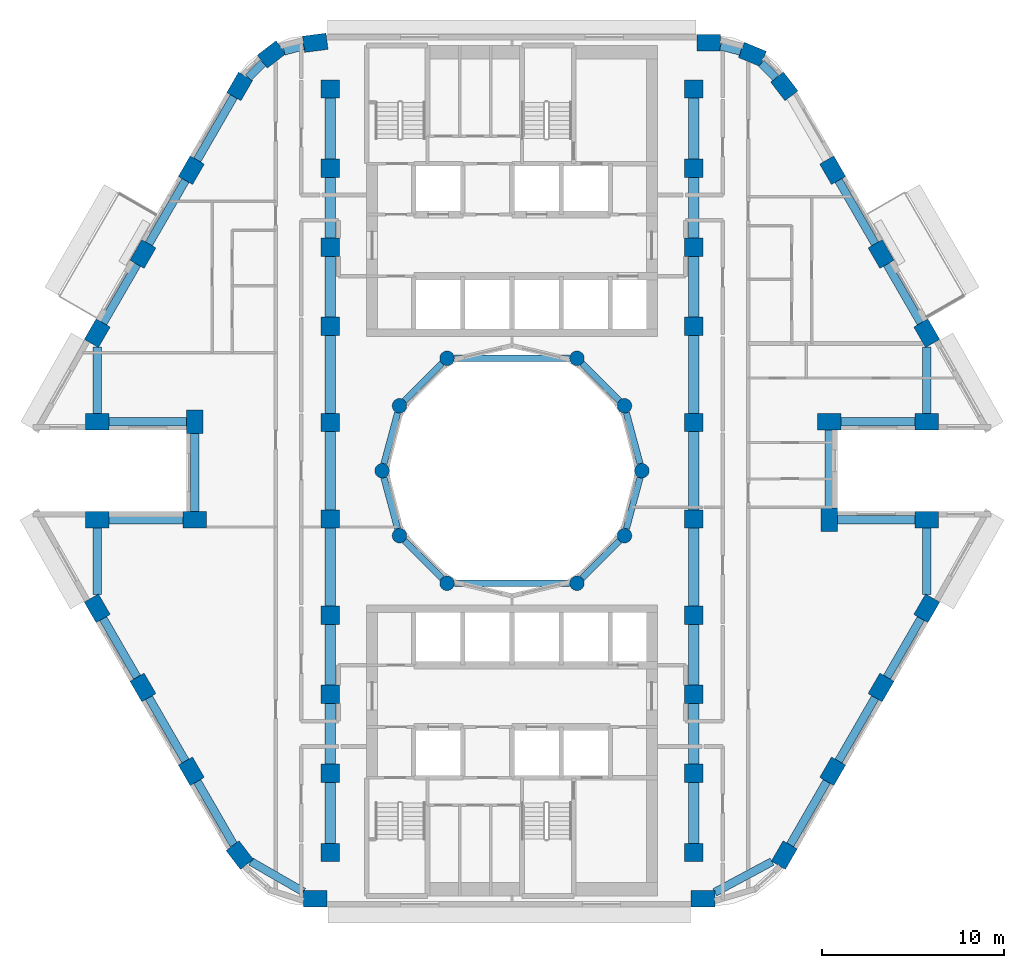
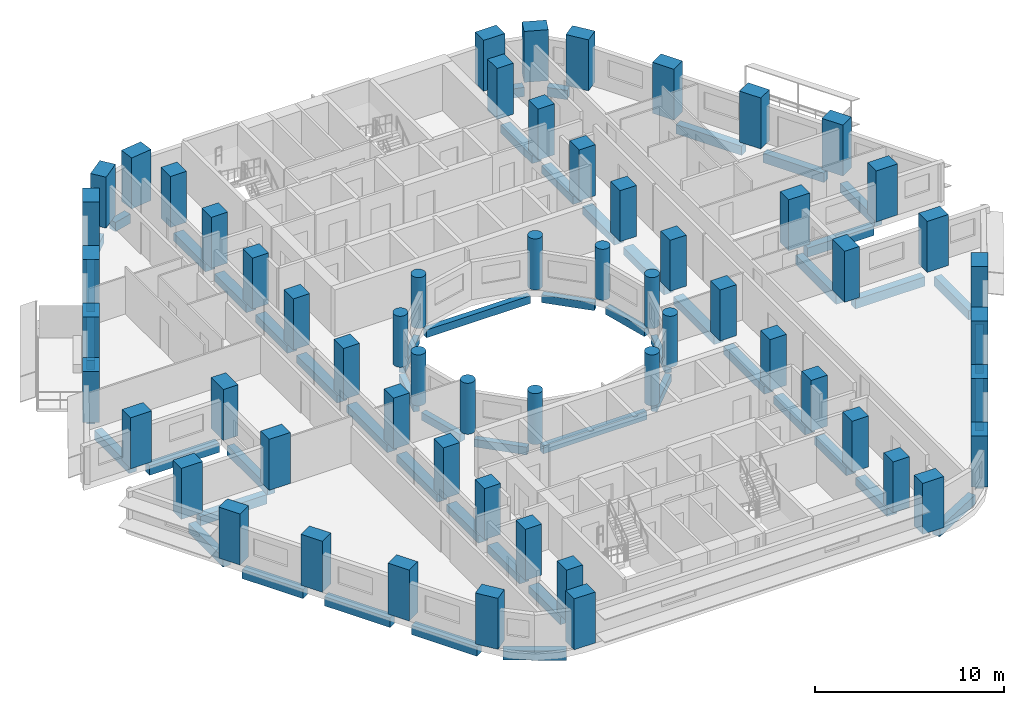
# One storey, part 1 of 14: 60 columns, 55 beams.
"""IFC4 building model written with IfcOpenShell, lengths in metres."""

from ifc_helpers import new_model, si_unit, direction, frame, origin, origin_2d, place, context, subcontext, project, spatial, rectangle, circle, extrude, material, material_profile, profile_set, type_object, element, save


model = new_model("IFC4")

# Units and contexts
model_context = context("Model", 3, precision=1e-05, world=origin(), true_north=direction((0.0, 1.0)))
body_context = subcontext(model_context, "Body", "Model", "MODEL_VIEW")
ifc_project = project(units=[si_unit("LENGTHUNIT", "METRE"), si_unit("AREAUNIT", "SQUARE_METRE"), si_unit("VOLUMEUNIT", "CUBIC_METRE"), si_unit("PLANEANGLEUNIT", "RADIAN"), si_unit("MASSUNIT", "GRAM", prefix="KILO")], contexts=[model_context])

# Site, building, storey
site_placement = place(None, origin())
site = spatial("IfcSite", under=ifc_project, at=site_placement, CompositionType="ELEMENT")
building_placement = place(site_placement, origin())
building = spatial("IfcBuilding", under=site, at=building_placement, Name="Nakaniwa Court", CompositionType="ELEMENT")
storey_placement = place(building_placement, frame((0.0, 0.0, 127.199951171875)))
storey = spatial("IfcBuildingStorey", under=building, at=storey_placement, Name="L32", CompositionType="ELEMENT", Elevation=127.199951171875)

# Columns
ifc_material = material(Name="Concrete C80/100", Category="concrete")
ifc_material_profile_1 = material_profile(ifc_material, rectangle(XDim=1.0, YDim=1.0, at=origin_2d()), Name="Concrete C80/100 RC 1000x1000 spine column")
ifc_profile_set_1 = profile_set([ifc_material_profile_1], Name="Concrete C80/100")
column_type_1 = type_object("IfcColumnType", Name="Concrete C80/100 RC 1000x1000 spine column", PredefinedType="COLUMN", material=ifc_profile_set_1)
for number, where, z_axis, x_axis, name in (
    (1, (90.0, 59.0, 0.0), (0.0, 0.0, 1.0), (0.0, 1.0, 0.0), "COLUMN CS-01"),
    (2, (90.0, 63.35009765625, 0.0), (0.0, 0.0, 1.0), (0.0, 1.0, 0.0), "COLUMN CS-02"),
    (3, (90.0, 67.699951171875, 0.0), (0.0, 0.0, 1.0), (0.0, 1.0, 0.0), "COLUMN CS-03"),
    (4, (90.0, 72.050048828125, 0.0), (0.0, 0.0, 1.0), (0.0, 1.0, 0.0), "COLUMN CS-04"),
    (5, (90.0, 77.35009765625, 0.0), (0.0, 0.0, 1.0), (0.0, 1.0, 0.0), "COLUMN CS-05"),
    (6, (90.0, 82.64990234375, 0.0), (0.0, 0.0, 1.0), (0.0, 1.0, 0.0), "COLUMN CS-06"),
    (7, (90.0, 87.949951171875, 0.0), (0.0, 0.0, 1.0), (0.0, 1.0, 0.0), "COLUMN CS-07"),
    (8, (90.0, 92.300048828125, 0.0), (0.0, 0.0, 1.0), (0.0, 1.0, 0.0), "COLUMN CS-08"),
    (9, (90.0, 96.64990234375, 0.0), (0.0, 0.0, 1.0), (0.0, 1.0, 0.0), "COLUMN CS-09"),
    (10, (90.0, 101.0, 0.0), (0.0, 0.0, 1.0), (0.0, 1.0, 0.0), "COLUMN CS-10"),
    (11, (70.0, 101.0, 0.0), (0.0, 0.0, 1.0), (0.0, -1.0, 0.0), "COLUMN CS-11"),
    (12, (70.0, 96.64990234375, 0.0), (0.0, 0.0, 1.0), (0.0, -1.0, 0.0), "COLUMN CS-12"),
    (13, (70.0, 92.300048828125, 0.0), (0.0, 0.0, 1.0), (0.0, -1.0, 0.0), "COLUMN CS-13"),
    (14, (70.0, 87.949951171875, 0.0), (0.0, 0.0, 1.0), (0.0, -1.0, 0.0), "COLUMN CS-14"),
    (15, (70.0, 82.64990234375, 0.0), (0.0, 0.0, 1.0), (0.0, -1.0, 0.0), "COLUMN CS-15"),
    (16, (70.0, 77.35009765625, 0.0), (0.0, 0.0, 1.0), (0.0, -1.0, 0.0), "COLUMN CS-16"),
    (17, (70.0, 72.050048828125, 0.0), (0.0, 0.0, 1.0), (0.0, -1.0, 0.0), "COLUMN CS-17"),
    (18, (70.0, 67.699951171875, 0.0), (0.0, 0.0, 1.0), (0.0, -1.0, 0.0), "COLUMN CS-18"),
    (19, (70.0, 63.35009765625, 0.0), (0.0, 0.0, 1.0), (0.0, -1.0, 0.0), "COLUMN CS-19"),
    (20, (70.0, 59.0, 0.0), (0.0, 0.0, 1.0), (0.0, -1.0, 0.0), "COLUMN CS-20"),
):
    element("IfcColumn", number, at=place(storey_placement, frame(where, z_axis=z_axis, x_axis=x_axis)), inside=storey, type_object=column_type_1, Name=name, PredefinedType="COLUMN", context=body_context, shape_type="SweptSolid", body=[
        extrude(rectangle(XDim=1.0, YDim=1.0, at=origin_2d()), origin(), (0.0, 0.0, 1.0), 3.300048828125),
    ])
ifc_material_profile_2 = material_profile(ifc_material, rectangle(XDim=1.300048828125, YDim=0.89990234375, at=origin_2d()), Name="Concrete C80/100 RC 1300x900 perimeter column")
ifc_profile_set_2 = profile_set([ifc_material_profile_2], Name="Concrete C80/100")
column_type_2 = type_object("IfcColumnType", Name="Concrete C80/100 RC 1300x900 perimeter column", PredefinedType="COLUMN", material=ifc_profile_set_2)
for number, where, z_axis, x_axis, name in (
    (21, (69.17529296875, 103.550048828125, 0.0), (0.0, 0.0, 1.0), (-0.991442583111, -0.130543496177, 0.0), "COLUMN CO-01"),
    (22, (66.772705078125, 102.91015625, 0.0), (0.0, 0.0, 1.0), (-0.793363965062, -0.608747582288, 0.0), "COLUMN CO-02"),
    (23, (65.017578125, 101.1494140625, 0.0), (0.0, 0.0, 1.0), (-0.5, -0.866025403784, 0.0), "COLUMN CO-03"),
    (24, (62.3544921875, 96.537109375, 0.0), (0.0, 0.0, 1.0), (-0.5, -0.866025403784, 0.0), "COLUMN CO-04"),
    (25, (59.691650390625, 91.9248046875, 0.0), (0.0, 0.0, 1.0), (-0.5, -0.866025403784, 0.0), "COLUMN CO-05"),
    (26, (57.177001953125, 87.569580078125, 0.0), (0.0, 0.0, 1.0), (-0.5, -0.866025403784, 0.0), "COLUMN CO-06"),
    (27, (57.177001953125, 82.699951171875, 0.0), (0.0, 0.0, 1.0), (1.0, 0.0, 0.0), "COLUMN CO-08"),
    (28, (62.54150390625, 82.699951171875, 0.0), (0.0, 0.0, 1.0), (0.0, -1.0, 0.0), "COLUMN CO-09"),
    (29, (62.54150390625, 77.300048828125, 0.0), (0.0, 0.0, 1.0), (-1.0, 0.0, 0.0), "COLUMN CO-10"),
    (30, (57.177001953125, 77.300048828125, 0.0), (0.0, 0.0, 1.0), (-1.0, 0.0, 0.0), "COLUMN CO-11"),
    (31, (57.177001953125, 72.430419921875, 0.0), (0.0, 0.0, 1.0), (0.5, -0.866025403784, 0.0), "COLUMN CO-13"),
    (32, (59.691650390625, 68.0751953125, 0.0), (0.0, 0.0, 1.0), (0.5, -0.866025403784, 0.0), "COLUMN CO-14"),
    (33, (62.3544921875, 63.462890625, 0.0), (0.0, 0.0, 1.0), (0.5, -0.866025403784, 0.0), "COLUMN CO-15"),
    (34, (65.017578125, 58.8505859375, 0.0), (0.0, 0.0, 1.0), (0.608761429009, -0.793353340291, 0.0), "COLUMN CO-16"),
    (35, (69.17529296875, 56.449951171875, 0.0), (0.0, 0.0, 1.0), (1.0, 0.0, 0.0), "COLUMN CO-17"),
    (36, (90.507080078125, 56.449951171875, 0.0), (0.0, 0.0, 1.0), (1.0, 0.0, 0.0), "COLUMN CO-21"),
    (37, (94.982421875, 58.8505859375, 0.0), (0.0, 0.0, 1.0), (0.5, 0.866025403784, 0.0), "COLUMN CO-22"),
    (38, (97.6455078125, 63.462890625, 0.0), (0.0, 0.0, 1.0), (0.5, 0.866025403784, 0.0), "COLUMN CO-23"),
    (39, (100.308349609375, 68.0751953125, 0.0), (0.0, 0.0, 1.0), (0.5, 0.866025403784, 0.0), "COLUMN CO-24"),
    (40, (102.822998046875, 72.430419921875, 0.0), (0.0, 0.0, 1.0), (0.5, 0.866025403784, 0.0), "COLUMN CO-25"),
    (41, (102.822998046875, 77.300048828125, 0.0), (0.0, 0.0, 1.0), (-1.0, 0.0, 0.0), "COLUMN CO-27"),
    (42, (97.45849609375, 77.300048828125, 0.0), (0.0, 0.0, 1.0), (0.0, 1.0, 0.0), "COLUMN CO-28"),
    (43, (97.45849609375, 82.699951171875, 0.0), (0.0, 0.0, 1.0), (1.0, 0.0, 0.0), "COLUMN CO-29"),
    (44, (102.822998046875, 82.699951171875, 0.0), (0.0, 0.0, 1.0), (1.0, 0.0, 0.0), "COLUMN CO-30"),
    (45, (102.822998046875, 87.569580078125, 0.0), (0.0, 0.0, 1.0), (-0.5, 0.866025403784, 0.0), "COLUMN CO-32"),
    (46, (100.308349609375, 91.9248046875, 0.0), (0.0, 0.0, 1.0), (-0.5, 0.866025403784, 0.0), "COLUMN CO-33"),
    (47, (97.6455078125, 96.537109375, 0.0), (0.0, 0.0, 1.0), (-0.5, 0.866025403784, 0.0), "COLUMN CO-34"),
    (48, (94.982421875, 101.1494140625, 0.0), (0.0, 0.0, 1.0), (-0.608761429009, 0.793353340291, 0.0), "COLUMN CO-35"),
    (49, (93.227294921875, 102.91015625, 0.0), (0.0, 0.0, 1.0), (-0.923879532511, 0.382683432365, 0.0), "COLUMN CO-36"),
    (50, (90.82470703125, 103.550048828125, 0.0), (0.0, 0.0, 1.0), (-1.0, 0.0, 0.0), "COLUMN CO-37"),
):
    element("IfcColumn", number, at=place(storey_placement, frame(where, z_axis=z_axis, x_axis=x_axis)), inside=storey, type_object=column_type_2, Name=name, PredefinedType="COLUMN", context=body_context, shape_type="SweptSolid", body=[
        extrude(rectangle(XDim=1.300048828125, YDim=0.89990234375, at=origin_2d()), origin(), (0.0, 0.0, 1.0), 3.300048828125),
    ])
ifc_material_profile_3 = material_profile(ifc_material, circle(Radius=0.39990234375, at=origin_2d()), Name="Concrete C80/100 RC D800 inner ring column")
ifc_profile_set_3 = profile_set([ifc_material_profile_3], Name="Concrete C80/100")
column_type_3 = type_object("IfcColumnType", Name="Concrete C80/100 RC D800 inner ring column", PredefinedType="COLUMN", material=ifc_profile_set_3)
for number, where, z_axis, x_axis, name in (
    (51, (87.14990234375, 80.0, 0.0), (0.0, 0.0, 1.0), (0.0, 1.0, 0.0), "COLUMN CI-01"),
    (52, (86.192138671875, 83.574951171875, 0.0), (0.0, 0.0, 1.0), (-0.5, 0.866025403784, 0.0), "COLUMN CI-02"),
    (53, (83.574951171875, 86.192138671875, 0.0), (0.0, 0.0, 1.0), (-0.866025403784, 0.5, 0.0), "COLUMN CI-03"),
    (54, (76.425048828125, 86.192138671875, 0.0), (0.0, 0.0, 1.0), (-0.866025403784, -0.5, 0.0), "COLUMN CI-05"),
    (55, (73.807861328125, 83.574951171875, 0.0), (0.0, 0.0, 1.0), (-0.5, -0.866025403784, 0.0), "COLUMN CI-06"),
    (56, (72.85009765625, 80.0, 0.0), (0.0, 0.0, 1.0), (0.0, -1.0, 0.0), "COLUMN CI-07"),
    (57, (73.807861328125, 76.425048828125, 0.0), (0.0, 0.0, 1.0), (0.5, -0.866025403784, 0.0), "COLUMN CI-08"),
    (58, (76.425048828125, 73.807861328125, 0.0), (0.0, 0.0, 1.0), (0.866025403784, -0.5, 0.0), "COLUMN CI-09"),
    (59, (83.574951171875, 73.807861328125, 0.0), (0.0, 0.0, 1.0), (0.866025403784, 0.5, 0.0), "COLUMN CI-11"),
    (60, (86.192138671875, 76.425048828125, 0.0), (0.0, 0.0, 1.0), (0.5, 0.866025403784, 0.0), "COLUMN CI-12"),
):
    element("IfcColumn", number, at=place(storey_placement, frame(where, z_axis=z_axis, x_axis=x_axis)), inside=storey, type_object=column_type_3, Name=name, PredefinedType="COLUMN", context=body_context, shape_type="SweptSolid", body=[
        extrude(circle(Radius=0.39990234375, at=origin_2d()), origin(), (0.0, 0.0, 1.0), 3.300048828125),
    ])

# Beams
ifc_material_profile_4 = material_profile(ifc_material, rectangle(XDim=0.35009765625, YDim=0.5, at=origin_2d()), Name="Concrete C80/100 RC 350x500 ring beam")
ifc_profile_set_4 = profile_set([ifc_material_profile_4], Name="Concrete C80/100")
beam_type_1 = type_object("IfcBeamType", Name="Concrete C80/100 RC 350x500 ring beam", PredefinedType="BEAM", material=ifc_profile_set_4)
beam_1_placement = place(storey_placement, frame((87.04638671875, 80.386474609375, -0.659912109375), z_axis=(-0.258778150207, 0.965936783115, 0.0), x_axis=(-0.965936783115, -0.258778150207, 0.0)))
element("IfcBeam", 61, at=beam_1_placement, inside=storey, type_object=beam_type_1, Name="RING BEAM", PredefinedType="BEAM", context=body_context, shape_type="SweptSolid", body=[
    extrude(rectangle(XDim=0.35009765625, YDim=0.5, at=origin_2d()), origin(), (0.0, 0.0, 1.0), 2.901123046875),
])
beam_2_placement = place(storey_placement, frame((85.9091796875, 83.85791015625, -0.659912109375), z_axis=(-0.707106781187, 0.707106781187, 0.0), x_axis=(-0.707106781187, -0.707106781187, 0.0)))
element("IfcBeam", 62, at=beam_2_placement, inside=storey, type_object=beam_type_1, Name="RING BEAM", PredefinedType="BEAM", context=body_context, shape_type="SweptSolid", body=[
    extrude(rectangle(XDim=0.35009765625, YDim=0.5, at=origin_2d()), origin(), (0.0, 0.0, 1.0), 2.90087890625),
])
beam_3_placement = place(storey_placement, frame((83.175048828125, 86.192138671875, -0.659912109375), z_axis=(-1.0, 0.0, 0.0), x_axis=(0.0, -1.0, 0.0)))
element("IfcBeam", 63, at=beam_3_placement, inside=storey, type_object=beam_type_1, Name="RING BEAM", PredefinedType="BEAM", context=body_context, shape_type="SweptSolid", body=[
    extrude(rectangle(XDim=0.35009765625, YDim=0.5, at=origin_2d()), origin(), (0.0, 0.0, 1.0), 6.35009765625),
])
beam_4_placement = place(storey_placement, frame((76.14208984375, 85.9091796875, -0.659912109375), z_axis=(-0.707106781187, -0.707106781187, 0.0), x_axis=(0.707106781187, -0.707106781187, 0.0)))
element("IfcBeam", 64, at=beam_4_placement, inside=storey, type_object=beam_type_1, Name="RING BEAM", PredefinedType="BEAM", context=body_context, shape_type="SweptSolid", body=[
    extrude(rectangle(XDim=0.35009765625, YDim=0.5, at=origin_2d()), origin(), (0.0, 0.0, 1.0), 2.90087890625),
])
for number, where, z_axis, x_axis, name in (
    (65, (73.704345703125, 83.188720703125, -0.659912109375), (-0.258778150207, -0.965936783115, 0.0), (0.965936783115, -0.258778150207, 0.0), "RING BEAM"),
    (66, (72.95361328125, 79.613525390625, -0.659912109375), (0.258778150207, -0.965936783115, 0.0), (0.965936783115, 0.258778150207, 0.0), "RING BEAM"),
):
    element("IfcBeam", number, at=place(storey_placement, frame(where, z_axis=z_axis, x_axis=x_axis)), inside=storey, type_object=beam_type_1, Name=name, PredefinedType="BEAM", context=body_context, shape_type="SweptSolid", body=[
        extrude(rectangle(XDim=0.35009765625, YDim=0.5, at=origin_2d()), origin(), (0.0, 0.0, 1.0), 2.901123046875),
    ])
beam_5_placement = place(storey_placement, frame((74.0908203125, 76.14208984375, -0.659912109375), z_axis=(0.707106781187, -0.707106781187, 0.0), x_axis=(0.707106781187, 0.707106781187, 0.0)))
element("IfcBeam", 67, at=beam_5_placement, inside=storey, type_object=beam_type_1, Name="RING BEAM", PredefinedType="BEAM", context=body_context, shape_type="SweptSolid", body=[
    extrude(rectangle(XDim=0.35009765625, YDim=0.5, at=origin_2d()), origin(), (0.0, 0.0, 1.0), 2.90087890625),
])
beam_6_placement = place(storey_placement, frame((76.824951171875, 73.807861328125, -0.659912109375), z_axis=(1.0, 0.0, 0.0), x_axis=(0.0, 1.0, 0.0)))
element("IfcBeam", 68, at=beam_6_placement, inside=storey, type_object=beam_type_1, Name="RING BEAM", PredefinedType="BEAM", context=body_context, shape_type="SweptSolid", body=[
    extrude(rectangle(XDim=0.35009765625, YDim=0.5, at=origin_2d()), origin(), (0.0, 0.0, 1.0), 6.35009765625),
])
beam_7_placement = place(storey_placement, frame((83.85791015625, 74.0908203125, -0.659912109375), z_axis=(0.707106781187, 0.707106781187, 0.0), x_axis=(-0.707106781187, 0.707106781187, 0.0)))
element("IfcBeam", 69, at=beam_7_placement, inside=storey, type_object=beam_type_1, Name="RING BEAM", PredefinedType="BEAM", context=body_context, shape_type="SweptSolid", body=[
    extrude(rectangle(XDim=0.35009765625, YDim=0.5, at=origin_2d()), origin(), (0.0, 0.0, 1.0), 2.90087890625),
])
beam_8_placement = place(storey_placement, frame((86.295654296875, 76.811279296875, -0.659912109375), z_axis=(0.258778150207, 0.965936783115, 0.0), x_axis=(-0.965936783115, 0.258778150207, 0.0)))
element("IfcBeam", 70, at=beam_8_placement, inside=storey, type_object=beam_type_1, Name="RING BEAM", PredefinedType="BEAM", context=body_context, shape_type="SweptSolid", body=[
    extrude(rectangle(XDim=0.35009765625, YDim=0.5, at=origin_2d()), origin(), (0.0, 0.0, 1.0), 2.901123046875),
])
ifc_material_profile_5 = material_profile(ifc_material, rectangle(XDim=0.449951171875, YDim=0.60009765625, at=origin_2d()), Name="Concrete C80/100 RC 450x600 spandrel beam")
ifc_profile_set_5 = profile_set([ifc_material_profile_5], Name="Concrete C80/100")
beam_type_2 = type_object("IfcBeamType", Name="Concrete C80/100 RC 450x600 spandrel beam", PredefinedType="BEAM", material=ifc_profile_set_5)
beam_9_placement = place(storey_placement, frame((68.5419921875, 103.38134765625, -0.7099609375), z_axis=(-0.966321172043, -0.257339061284, 0.0), x_axis=(0.257339061284, -0.966321172043, 0.0)))
element("IfcBeam", 71, at=beam_9_placement, inside=storey, type_object=beam_type_2, Name="SPANDREL BEAM", PredefinedType="BEAM", context=body_context, shape_type="SweptSolid", body=[
    extrude(rectangle(XDim=0.449951171875, YDim=0.60009765625, at=origin_2d()), origin(), (0.0, 0.0, 1.0), 1.126953125),
])
beam_10_placement = place(storey_placement, frame((66.309814453125, 102.44580078125, -0.7099609375), z_axis=(-0.706051557188, -0.708160432807, 0.0), x_axis=(0.708160432807, -0.706051557188, 0.0)))
element("IfcBeam", 72, at=beam_10_placement, inside=storey, type_object=beam_type_2, Name="SPANDREL BEAM", PredefinedType="BEAM", context=body_context, shape_type="SweptSolid", body=[
    extrude(rectangle(XDim=0.449951171875, YDim=0.60009765625, at=origin_2d()), origin(), (0.0, 0.0, 1.0), 1.15771484375),
])
for number, where, z_axis, x_axis, name in (
    (73, (64.6923828125, 100.586669921875, -0.7099609375), (-0.499993669216, -0.866029058833, 0.0), (0.866029058833, -0.499993669216, 0.0), "SPANDREL BEAM"),
    (74, (62.029541015625, 95.97412109375, -0.7099609375), (-0.499993669216, -0.866029058833, 0.0), (0.866029058833, -0.499993669216, 0.0), "SPANDREL BEAM"),
):
    element("IfcBeam", number, at=place(storey_placement, frame(where, z_axis=z_axis, x_axis=x_axis)), inside=storey, type_object=beam_type_2, Name=name, PredefinedType="BEAM", context=body_context, shape_type="SweptSolid", body=[
        extrude(rectangle(XDim=0.449951171875, YDim=0.60009765625, at=origin_2d()), origin(), (0.0, 0.0, 1.0), 4.02587890625),
    ])
beam_11_placement = place(storey_placement, frame((59.36669921875, 91.36181640625, -0.7099609375), z_axis=(-0.50001905207, -0.866014403787, 0.0), x_axis=(0.866014403787, -0.50001905207, 0.0)))
element("IfcBeam", 75, at=beam_11_placement, inside=storey, type_object=beam_type_2, Name="SPANDREL BEAM", PredefinedType="BEAM", context=body_context, shape_type="SweptSolid", body=[
    extrude(rectangle(XDim=0.449951171875, YDim=0.60009765625, at=origin_2d()), origin(), (0.0, 0.0, 1.0), 3.728759765625),
])
beam_12_placement = place(storey_placement, frame((57.177001953125, 86.819091796875, -0.7099609375), z_axis=(0.0, -1.0, 0.0), x_axis=(1.0, 0.0, 0.0)))
element("IfcBeam", 76, at=beam_12_placement, inside=storey, type_object=beam_type_2, Name="SPANDREL BEAM", PredefinedType="BEAM", context=body_context, shape_type="SweptSolid", body=[
    extrude(rectangle(XDim=0.449951171875, YDim=0.60009765625, at=origin_2d()), origin(), (0.0, 0.0, 1.0), 3.669189453125),
])
beam_13_placement = place(storey_placement, frame((57.8271484375, 82.699951171875, -0.7099609375), z_axis=(1.0, 0.0, 0.0), x_axis=(0.0, 1.0, 0.0)))
element("IfcBeam", 77, at=beam_13_placement, inside=storey, type_object=beam_type_2, Name="SPANDREL BEAM", PredefinedType="BEAM", context=body_context, shape_type="SweptSolid", body=[
    extrude(rectangle(XDim=0.449951171875, YDim=0.60009765625, at=origin_2d()), origin(), (0.0, 0.0, 1.0), 4.264404296875),
])
beam_14_placement = place(storey_placement, frame((62.54150390625, 82.050048828125, -0.7099609375), z_axis=(0.0, -1.0, 0.0), x_axis=(1.0, 0.0, 0.0)))
element("IfcBeam", 78, at=beam_14_placement, inside=storey, type_object=beam_type_2, Name="SPANDREL BEAM", PredefinedType="BEAM", context=body_context, shape_type="SweptSolid", body=[
    extrude(rectangle(XDim=0.449951171875, YDim=0.60009765625, at=origin_2d()), origin(), (0.0, 0.0, 1.0), 4.300048828125),
])
beam_15_placement = place(storey_placement, frame((61.8916015625, 77.300048828125, -0.7099609375), z_axis=(-1.0, 0.0, 0.0), x_axis=(0.0, -1.0, 0.0)))
element("IfcBeam", 79, at=beam_15_placement, inside=storey, type_object=beam_type_2, Name="SPANDREL BEAM", PredefinedType="BEAM", context=body_context, shape_type="SweptSolid", body=[
    extrude(rectangle(XDim=0.449951171875, YDim=0.60009765625, at=origin_2d()), origin(), (0.0, 0.0, 1.0), 4.064453125),
])
beam_16_placement = place(storey_placement, frame((57.177001953125, 76.85009765625, -0.7099609375), z_axis=(0.0, -1.0, 0.0), x_axis=(1.0, 0.0, 0.0)))
element("IfcBeam", 80, at=beam_16_placement, inside=storey, type_object=beam_type_2, Name="SPANDREL BEAM", PredefinedType="BEAM", context=body_context, shape_type="SweptSolid", body=[
    extrude(rectangle(XDim=0.449951171875, YDim=0.60009765625, at=origin_2d()), origin(), (0.0, 0.0, 1.0), 3.669189453125),
])
beam_17_placement = place(storey_placement, frame((57.502197265625, 71.867431640625, -0.7099609375), z_axis=(0.50001905207, -0.866014403787, 0.0), x_axis=(0.866014403787, 0.50001905207, 0.0)))
element("IfcBeam", 81, at=beam_17_placement, inside=storey, type_object=beam_type_2, Name="SPANDREL BEAM", PredefinedType="BEAM", context=body_context, shape_type="SweptSolid", body=[
    extrude(rectangle(XDim=0.449951171875, YDim=0.60009765625, at=origin_2d()), origin(), (0.0, 0.0, 1.0), 3.728759765625),
])
beam_18_placement = place(storey_placement, frame((60.0166015625, 67.512451171875, -0.7099609375), z_axis=(0.499993669216, -0.866029058833, 0.0), x_axis=(0.866029058833, 0.499993669216, 0.0)))
element("IfcBeam", 82, at=beam_18_placement, inside=storey, type_object=beam_type_2, Name="SPANDREL BEAM", PredefinedType="BEAM", context=body_context, shape_type="SweptSolid", body=[
    extrude(rectangle(XDim=0.449951171875, YDim=0.60009765625, at=origin_2d()), origin(), (0.0, 0.0, 1.0), 4.02587890625),
])
beam_19_placement = place(storey_placement, frame((62.679443359375, 62.89990234375, -0.7099609375), z_axis=(0.500018573463, -0.866014680125, 0.0), x_axis=(0.866014680125, 0.500018573463, 0.0)))
element("IfcBeam", 83, at=beam_19_placement, inside=storey, type_object=beam_type_2, Name="SPANDREL BEAM", PredefinedType="BEAM", context=body_context, shape_type="SweptSolid", body=[
    extrude(rectangle(XDim=0.449951171875, YDim=0.60009765625, at=origin_2d()), origin(), (0.0, 0.0, 1.0), 4.020263671875),
])
beam_20_placement = place(storey_placement, frame((65.626708984375, 58.498779296875, -0.7099609375), z_axis=(0.866021605644, -0.500006578514, 0.0), x_axis=(0.500006578514, 0.866021605644, 0.0)))
element("IfcBeam", 84, at=beam_20_placement, inside=storey, type_object=beam_type_2, Name="SPANDREL BEAM", PredefinedType="BEAM", context=body_context, shape_type="SweptSolid", body=[
    extrude(rectangle(XDim=0.449951171875, YDim=0.60009765625, at=origin_2d()), origin(), (0.0, 0.0, 1.0), 3.34716796875),
])
beam_21_placement = place(storey_placement, frame((91.156982421875, 56.798583984375, -0.7099609375), z_axis=(0.881239336512, 0.472670320397, 0.0), x_axis=(-0.472670320397, 0.881239336512, 0.0)))
element("IfcBeam", 85, at=beam_21_placement, inside=storey, type_object=beam_type_2, Name="SPANDREL BEAM", PredefinedType="BEAM", context=body_context, shape_type="SweptSolid", body=[
    extrude(rectangle(XDim=0.449951171875, YDim=0.60009765625, at=origin_2d()), origin(), (0.0, 0.0, 1.0), 3.576416015625),
])
for number, where, z_axis, x_axis, name in (
    (86, (95.3076171875, 59.413330078125, -0.7099609375), (0.499993669216, 0.866029058833, 0.0), (-0.866029058833, 0.499993669216, 0.0), "SPANDREL BEAM"),
    (87, (97.970458984375, 64.02587890625, -0.7099609375), (0.499993669216, 0.866029058833, 0.0), (-0.866029058833, 0.499993669216, 0.0), "SPANDREL BEAM"),
):
    element("IfcBeam", number, at=place(storey_placement, frame(where, z_axis=z_axis, x_axis=x_axis)), inside=storey, type_object=beam_type_2, Name=name, PredefinedType="BEAM", context=body_context, shape_type="SweptSolid", body=[
        extrude(rectangle(XDim=0.449951171875, YDim=0.60009765625, at=origin_2d()), origin(), (0.0, 0.0, 1.0), 4.02587890625),
    ])
beam_22_placement = place(storey_placement, frame((100.63330078125, 68.63818359375, -0.7099609375), z_axis=(0.50001905207, 0.866014403787, 0.0), x_axis=(-0.866014403787, 0.50001905207, 0.0)))
element("IfcBeam", 88, at=beam_22_placement, inside=storey, type_object=beam_type_2, Name="SPANDREL BEAM", PredefinedType="BEAM", context=body_context, shape_type="SweptSolid", body=[
    extrude(rectangle(XDim=0.449951171875, YDim=0.60009765625, at=origin_2d()), origin(), (0.0, 0.0, 1.0), 3.728759765625),
])
beam_23_placement = place(storey_placement, frame((102.822998046875, 73.180908203125, -0.7099609375), z_axis=(0.0, 1.0, 0.0), x_axis=(-1.0, 0.0, 0.0)))
element("IfcBeam", 89, at=beam_23_placement, inside=storey, type_object=beam_type_2, Name="SPANDREL BEAM", PredefinedType="BEAM", context=body_context, shape_type="SweptSolid", body=[
    extrude(rectangle(XDim=0.449951171875, YDim=0.60009765625, at=origin_2d()), origin(), (0.0, 0.0, 1.0), 3.669189453125),
])
beam_24_placement = place(storey_placement, frame((102.1728515625, 77.300048828125, -0.7099609375), z_axis=(-1.0, 0.0, 0.0), x_axis=(0.0, -1.0, 0.0)))
element("IfcBeam", 90, at=beam_24_placement, inside=storey, type_object=beam_type_2, Name="SPANDREL BEAM", PredefinedType="BEAM", context=body_context, shape_type="SweptSolid", body=[
    extrude(rectangle(XDim=0.449951171875, YDim=0.60009765625, at=origin_2d()), origin(), (0.0, 0.0, 1.0), 4.264404296875),
])
beam_25_placement = place(storey_placement, frame((97.45849609375, 77.949951171875, -0.7099609375), z_axis=(0.0, 1.0, 0.0), x_axis=(-1.0, 0.0, 0.0)))
element("IfcBeam", 91, at=beam_25_placement, inside=storey, type_object=beam_type_2, Name="SPANDREL BEAM", PredefinedType="BEAM", context=body_context, shape_type="SweptSolid", body=[
    extrude(rectangle(XDim=0.449951171875, YDim=0.60009765625, at=origin_2d()), origin(), (0.0, 0.0, 1.0), 4.300048828125),
])
beam_26_placement = place(storey_placement, frame((98.1083984375, 82.699951171875, -0.7099609375), z_axis=(1.0, 0.0, 0.0), x_axis=(0.0, 1.0, 0.0)))
element("IfcBeam", 92, at=beam_26_placement, inside=storey, type_object=beam_type_2, Name="SPANDREL BEAM", PredefinedType="BEAM", context=body_context, shape_type="SweptSolid", body=[
    extrude(rectangle(XDim=0.449951171875, YDim=0.60009765625, at=origin_2d()), origin(), (0.0, 0.0, 1.0), 4.064453125),
])
beam_27_placement = place(storey_placement, frame((102.822998046875, 83.14990234375, -0.7099609375), z_axis=(0.0, 1.0, 0.0), x_axis=(-1.0, 0.0, 0.0)))
element("IfcBeam", 93, at=beam_27_placement, inside=storey, type_object=beam_type_2, Name="SPANDREL BEAM", PredefinedType="BEAM", context=body_context, shape_type="SweptSolid", body=[
    extrude(rectangle(XDim=0.449951171875, YDim=0.60009765625, at=origin_2d()), origin(), (0.0, 0.0, 1.0), 3.669189453125),
])
beam_28_placement = place(storey_placement, frame((102.497802734375, 88.132568359375, -0.7099609375), z_axis=(-0.50001905207, 0.866014403787, 0.0), x_axis=(-0.866014403787, -0.50001905207, 0.0)))
element("IfcBeam", 94, at=beam_28_placement, inside=storey, type_object=beam_type_2, Name="SPANDREL BEAM", PredefinedType="BEAM", context=body_context, shape_type="SweptSolid", body=[
    extrude(rectangle(XDim=0.449951171875, YDim=0.60009765625, at=origin_2d()), origin(), (0.0, 0.0, 1.0), 3.728759765625),
])
beam_29_placement = place(storey_placement, frame((99.9833984375, 92.487548828125, -0.7099609375), z_axis=(-0.499993669216, 0.866029058833, 0.0), x_axis=(-0.866029058833, -0.499993669216, 0.0)))
element("IfcBeam", 95, at=beam_29_placement, inside=storey, type_object=beam_type_2, Name="SPANDREL BEAM", PredefinedType="BEAM", context=body_context, shape_type="SweptSolid", body=[
    extrude(rectangle(XDim=0.449951171875, YDim=0.60009765625, at=origin_2d()), origin(), (0.0, 0.0, 1.0), 4.02587890625),
])
beam_30_placement = place(storey_placement, frame((94.519775390625, 101.61376953125, -0.7099609375), z_axis=(-0.706022429805, 0.708189472254, 0.0), x_axis=(-0.708189472254, -0.706022429805, 0.0)))
element("IfcBeam", 96, at=beam_30_placement, inside=storey, type_object=beam_type_2, Name="SPANDREL BEAM", PredefinedType="BEAM", context=body_context, shape_type="SweptSolid", body=[
    extrude(rectangle(XDim=0.449951171875, YDim=0.60009765625, at=origin_2d()), origin(), (0.0, 0.0, 1.0), 1.126708984375),
])
beam_31_placement = place(storey_placement, frame((92.593505859375, 103.078857421875, -0.7099609375), z_axis=(-0.966294404875, 0.257439552335, 0.0), x_axis=(-0.257439552335, -0.966294404875, 0.0)))
element("IfcBeam", 97, at=beam_31_placement, inside=storey, type_object=beam_type_2, Name="SPANDREL BEAM", PredefinedType="BEAM", context=body_context, shape_type="SweptSolid", body=[
    extrude(rectangle(XDim=0.449951171875, YDim=0.60009765625, at=origin_2d()), origin(), (0.0, 0.0, 1.0), 1.157958984375),
])
ifc_material_profile_6 = material_profile(ifc_material, rectangle(XDim=0.60009765625, YDim=0.5, at=origin_2d()), Name="Concrete C80/100 RC 600x500 ring beam")
ifc_profile_set_6 = profile_set([ifc_material_profile_6], Name="Concrete C80/100")
beam_type_3 = type_object("IfcBeamType", Name="Concrete C80/100 RC 600x500 ring beam", PredefinedType="BEAM", material=ifc_profile_set_6)
beam_32_placement = place(storey_placement, frame((90.0, 59.5, -0.659912109375), z_axis=(0.0, 1.0, 0.0), x_axis=(-1.0, 0.0, 0.0)))
element("IfcBeam", 98, at=beam_32_placement, inside=storey, type_object=beam_type_3, Name="RING BEAM", PredefinedType="BEAM", context=body_context, shape_type="SweptSolid", body=[
    extrude(rectangle(XDim=0.60009765625, YDim=0.5, at=origin_2d()), origin(), (0.0, 0.0, 1.0), 3.35009765625),
])
beam_33_placement = place(storey_placement, frame((90.0, 63.85009765625, -0.659912109375), z_axis=(0.0, 1.0, 0.0), x_axis=(-1.0, 0.0, 0.0)))
element("IfcBeam", 99, at=beam_33_placement, inside=storey, type_object=beam_type_3, Name="RING BEAM", PredefinedType="BEAM", context=body_context, shape_type="SweptSolid", body=[
    extrude(rectangle(XDim=0.60009765625, YDim=0.5, at=origin_2d()), origin(), (0.0, 0.0, 1.0), 3.349853515625),
])
beam_34_placement = place(storey_placement, frame((90.0, 68.199951171875, -0.659912109375), z_axis=(0.0, 1.0, 0.0), x_axis=(-1.0, 0.0, 0.0)))
element("IfcBeam", 100, at=beam_34_placement, inside=storey, type_object=beam_type_3, Name="RING BEAM", PredefinedType="BEAM", context=body_context, shape_type="SweptSolid", body=[
    extrude(rectangle(XDim=0.60009765625, YDim=0.5, at=origin_2d()), origin(), (0.0, 0.0, 1.0), 3.35009765625),
])
beam_35_placement = place(storey_placement, frame((90.0, 72.550048828125, -0.659912109375), z_axis=(0.0, 1.0, 0.0), x_axis=(-1.0, 0.0, 0.0)))
element("IfcBeam", 101, at=beam_35_placement, inside=storey, type_object=beam_type_3, Name="RING BEAM", PredefinedType="BEAM", context=body_context, shape_type="SweptSolid", body=[
    extrude(rectangle(XDim=0.60009765625, YDim=0.5, at=origin_2d()), origin(), (0.0, 0.0, 1.0), 4.300048828125),
])
beam_36_placement = place(storey_placement, frame((90.0, 77.85009765625, -0.659912109375), z_axis=(0.0, 1.0, 0.0), x_axis=(-1.0, 0.0, 0.0)))
element("IfcBeam", 102, at=beam_36_placement, inside=storey, type_object=beam_type_3, Name="RING BEAM", PredefinedType="BEAM", context=body_context, shape_type="SweptSolid", body=[
    extrude(rectangle(XDim=0.60009765625, YDim=0.5, at=origin_2d()), origin(), (0.0, 0.0, 1.0), 4.2998046875),
])
beam_37_placement = place(storey_placement, frame((90.0, 83.14990234375, -0.659912109375), z_axis=(0.0, 1.0, 0.0), x_axis=(-1.0, 0.0, 0.0)))
element("IfcBeam", 103, at=beam_37_placement, inside=storey, type_object=beam_type_3, Name="RING BEAM", PredefinedType="BEAM", context=body_context, shape_type="SweptSolid", body=[
    extrude(rectangle(XDim=0.60009765625, YDim=0.5, at=origin_2d()), origin(), (0.0, 0.0, 1.0), 4.300048828125),
])
beam_38_placement = place(storey_placement, frame((90.0, 88.449951171875, -0.659912109375), z_axis=(0.0, 1.0, 0.0), x_axis=(-1.0, 0.0, 0.0)))
element("IfcBeam", 104, at=beam_38_placement, inside=storey, type_object=beam_type_3, Name="RING BEAM", PredefinedType="BEAM", context=body_context, shape_type="SweptSolid", body=[
    extrude(rectangle(XDim=0.60009765625, YDim=0.5, at=origin_2d()), origin(), (0.0, 0.0, 1.0), 3.35009765625),
])
beam_39_placement = place(storey_placement, frame((90.0, 92.800048828125, -0.659912109375), z_axis=(0.0, 1.0, 0.0), x_axis=(-1.0, 0.0, 0.0)))
element("IfcBeam", 105, at=beam_39_placement, inside=storey, type_object=beam_type_3, Name="RING BEAM", PredefinedType="BEAM", context=body_context, shape_type="SweptSolid", body=[
    extrude(rectangle(XDim=0.60009765625, YDim=0.5, at=origin_2d()), origin(), (0.0, 0.0, 1.0), 3.349853515625),
])
for number, where, z_axis, x_axis, name in (
    (106, (90.0, 97.14990234375, -0.659912109375), (0.0, 1.0, 0.0), (-1.0, 0.0, 0.0), "RING BEAM"),
    (107, (70.0, 100.5, -0.659912109375), (0.0, -1.0, 0.0), (1.0, 0.0, 0.0), "RING BEAM"),
):
    element("IfcBeam", number, at=place(storey_placement, frame(where, z_axis=z_axis, x_axis=x_axis)), inside=storey, type_object=beam_type_3, Name=name, PredefinedType="BEAM", context=body_context, shape_type="SweptSolid", body=[
        extrude(rectangle(XDim=0.60009765625, YDim=0.5, at=origin_2d()), origin(), (0.0, 0.0, 1.0), 3.35009765625),
    ])
beam_40_placement = place(storey_placement, frame((70.0, 96.14990234375, -0.659912109375), z_axis=(0.0, -1.0, 0.0), x_axis=(1.0, 0.0, 0.0)))
element("IfcBeam", 108, at=beam_40_placement, inside=storey, type_object=beam_type_3, Name="RING BEAM", PredefinedType="BEAM", context=body_context, shape_type="SweptSolid", body=[
    extrude(rectangle(XDim=0.60009765625, YDim=0.5, at=origin_2d()), origin(), (0.0, 0.0, 1.0), 3.349853515625),
])
beam_41_placement = place(storey_placement, frame((70.0, 91.800048828125, -0.659912109375), z_axis=(0.0, -1.0, 0.0), x_axis=(1.0, 0.0, 0.0)))
element("IfcBeam", 109, at=beam_41_placement, inside=storey, type_object=beam_type_3, Name="RING BEAM", PredefinedType="BEAM", context=body_context, shape_type="SweptSolid", body=[
    extrude(rectangle(XDim=0.60009765625, YDim=0.5, at=origin_2d()), origin(), (0.0, 0.0, 1.0), 3.35009765625),
])
beam_42_placement = place(storey_placement, frame((70.0, 87.449951171875, -0.659912109375), z_axis=(0.0, -1.0, 0.0), x_axis=(1.0, 0.0, 0.0)))
element("IfcBeam", 110, at=beam_42_placement, inside=storey, type_object=beam_type_3, Name="RING BEAM", PredefinedType="BEAM", context=body_context, shape_type="SweptSolid", body=[
    extrude(rectangle(XDim=0.60009765625, YDim=0.5, at=origin_2d()), origin(), (0.0, 0.0, 1.0), 4.300048828125),
])
beam_43_placement = place(storey_placement, frame((70.0, 82.14990234375, -0.659912109375), z_axis=(0.0, -1.0, 0.0), x_axis=(1.0, 0.0, 0.0)))
element("IfcBeam", 111, at=beam_43_placement, inside=storey, type_object=beam_type_3, Name="RING BEAM", PredefinedType="BEAM", context=body_context, shape_type="SweptSolid", body=[
    extrude(rectangle(XDim=0.60009765625, YDim=0.5, at=origin_2d()), origin(), (0.0, 0.0, 1.0), 4.2998046875),
])
beam_44_placement = place(storey_placement, frame((70.0, 76.85009765625, -0.659912109375), z_axis=(0.0, -1.0, 0.0), x_axis=(1.0, 0.0, 0.0)))
element("IfcBeam", 112, at=beam_44_placement, inside=storey, type_object=beam_type_3, Name="RING BEAM", PredefinedType="BEAM", context=body_context, shape_type="SweptSolid", body=[
    extrude(rectangle(XDim=0.60009765625, YDim=0.5, at=origin_2d()), origin(), (0.0, 0.0, 1.0), 4.300048828125),
])
beam_45_placement = place(storey_placement, frame((70.0, 71.550048828125, -0.659912109375), z_axis=(0.0, -1.0, 0.0), x_axis=(1.0, 0.0, 0.0)))
element("IfcBeam", 113, at=beam_45_placement, inside=storey, type_object=beam_type_3, Name="RING BEAM", PredefinedType="BEAM", context=body_context, shape_type="SweptSolid", body=[
    extrude(rectangle(XDim=0.60009765625, YDim=0.5, at=origin_2d()), origin(), (0.0, 0.0, 1.0), 3.35009765625),
])
beam_46_placement = place(storey_placement, frame((70.0, 67.199951171875, -0.659912109375), z_axis=(0.0, -1.0, 0.0), x_axis=(1.0, 0.0, 0.0)))
element("IfcBeam", 114, at=beam_46_placement, inside=storey, type_object=beam_type_3, Name="RING BEAM", PredefinedType="BEAM", context=body_context, shape_type="SweptSolid", body=[
    extrude(rectangle(XDim=0.60009765625, YDim=0.5, at=origin_2d()), origin(), (0.0, 0.0, 1.0), 3.349853515625),
])
beam_47_placement = place(storey_placement, frame((70.0, 62.85009765625, -0.659912109375), z_axis=(0.0, -1.0, 0.0), x_axis=(1.0, 0.0, 0.0)))
element("IfcBeam", 115, at=beam_47_placement, inside=storey, type_object=beam_type_3, Name="RING BEAM", PredefinedType="BEAM", context=body_context, shape_type="SweptSolid", body=[
    extrude(rectangle(XDim=0.60009765625, YDim=0.5, at=origin_2d()), origin(), (0.0, 0.0, 1.0), 3.35009765625),
])

save(model, "model.ifc")
